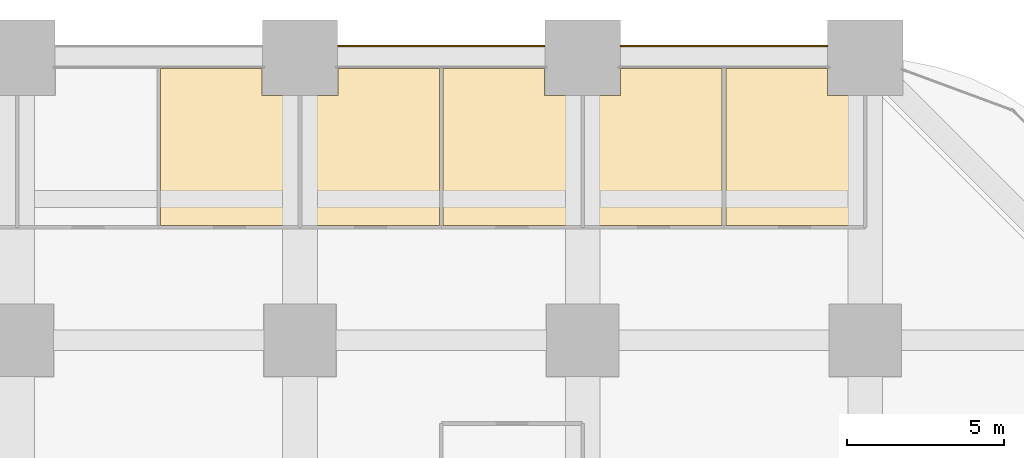
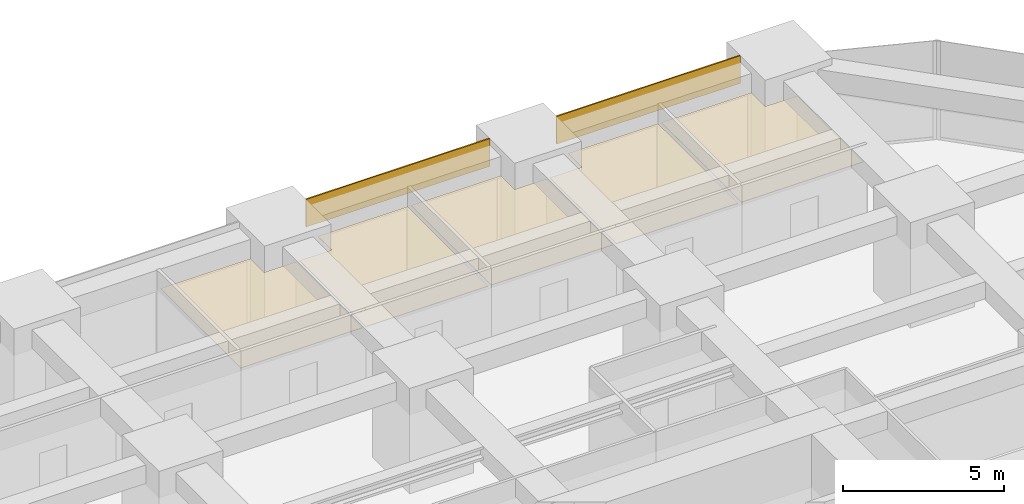
# One storey, part 44 of 44: 7 coverings.
"""IFC4 building model written with IfcOpenShell, lengths in metres."""

from ifc_helpers import new_model, si_unit, direction, frame, frame_2d, origin, place, context, subcontext, project, spatial, polyline, rectangle, outline, extrude, material, layer, layer_set, type_object, element, save


model = new_model("IFC4")

# Units and contexts
model_context = context("Model", 3, precision=1e-05, world=origin(), true_north=direction((0.0, 1.0)))
body_context = subcontext(model_context, "Body", "Model", "MODEL_VIEW")
ifc_project = project(units=[si_unit("LENGTHUNIT", "METRE"), si_unit("AREAUNIT", "SQUARE_METRE"), si_unit("VOLUMEUNIT", "CUBIC_METRE"), si_unit("PLANEANGLEUNIT", "RADIAN"), si_unit("MASSUNIT", "GRAM", prefix="KILO")], contexts=[model_context])

# Site, building, storey
site_placement = place(None, origin())
site = spatial("IfcSite", under=ifc_project, at=site_placement, CompositionType="ELEMENT")
building_placement = place(site_placement, origin())
building = spatial("IfcBuilding", under=site, at=building_placement, Name="Zorevar Civic Tower", CompositionType="ELEMENT")
storey_placement = place(building_placement, frame((0.0, 0.0, 35.800048828125)))
storey = spatial("IfcBuildingStorey", under=building, at=storey_placement, Name="L08", CompositionType="ELEMENT", Elevation=35.800048828125)

# Coverings
ifc_material_1 = material(Name="Black anodised aluminium spandrel panel", Category="aluminium")
ifc_layer_1 = layer(ifc_material_1, 0.050048828125)
ifc_layer_set_1 = layer_set([ifc_layer_1], Name="Spandrel cladding SP1")
covering_type_1 = type_object("IfcCoveringType", Name="Spandrel cladding SP1", PredefinedType="CLADDING", material=ifc_layer_set_1)
for number, where, z_axis, x_axis, name in (
    (1, (37.199951171875, 54.375, 2.949951171875), (0.0, 0.0, 1.0), (1.0, 0.0, 0.0), "Spandrel cladding L09"),
    (2, (46.199951171875, 54.375, 2.949951171875), (0.0, 0.0, 1.0), (1.0, 0.0, 0.0), "Spandrel cladding L09"),
):
    element("IfcCovering", number, at=place(storey_placement, frame(where, z_axis=z_axis, x_axis=x_axis)), inside=storey, type_object=covering_type_1, Name=name, PredefinedType="CLADDING", context=body_context, shape_type="SweptSolid", body=[
        extrude(rectangle(XDim=6.60009765625, YDim=0.050048828125, at=frame_2d((3.300048828125, 0.0))), origin(), (0.0, 0.0, 1.0), 1.050048828125),
    ])
ifc_material_2 = material(Name="Mineral fibre tiles on a concealed grid")
ifc_layer_2 = layer(ifc_material_2, 0.02001953125)
ifc_layer_set_2 = layer_set([ifc_layer_2], Name="Suspended ceiling SC1")
covering_type_2 = type_object("IfcCoveringType", Name="Suspended ceiling SC1", PredefinedType="CEILING", material=ifc_layer_set_2)
covering_1_placement = place(storey_placement, frame((0.0, 0.0, 3.0)))
element("IfcCovering", 3, at=covering_1_placement, inside=storey, type_object=covering_type_2, Name="Ceiling L08-36", PredefinedType="CEILING", context=body_context, shape_type="SweptSolid", body=[
    extrude(outline(polyline([(31.56005859375, 48.659912109375), (31.56005859375, 53.64990234375), (34.7900390625, 53.64990234375), (34.7900390625, 52.7900390625), (35.93994140625, 52.7900390625), (35.93994140625, 48.659912109375), (31.56005859375, 48.659912109375)])), origin(), (0.0, 0.0, 1.0), 0.02001953125),
])
covering_2_placement = place(storey_placement, frame((0.0, 0.0, 3.0)))
element("IfcCovering", 4, at=covering_2_placement, inside=storey, type_object=covering_type_2, Name="Ceiling L08-37", PredefinedType="CEILING", context=body_context, shape_type="SweptSolid", body=[
    extrude(outline(polyline([(36.06005859375, 48.659912109375), (36.06005859375, 52.7900390625), (37.2099609375, 52.7900390625), (37.2099609375, 53.64990234375), (40.43994140625, 53.64990234375), (40.43994140625, 48.659912109375), (36.06005859375, 48.659912109375)])), origin(), (0.0, 0.0, 1.0), 0.02001953125),
])
covering_3_placement = place(storey_placement, frame((0.0, 0.0, 3.0)))
element("IfcCovering", 5, at=covering_3_placement, inside=storey, type_object=covering_type_2, Name="Ceiling L08-38", PredefinedType="CEILING", context=body_context, shape_type="SweptSolid", body=[
    extrude(outline(polyline([(40.56005859375, 48.659912109375), (40.56005859375, 53.64990234375), (43.7900390625, 53.64990234375), (43.7900390625, 52.7900390625), (44.93994140625, 52.7900390625), (44.93994140625, 48.659912109375), (40.56005859375, 48.659912109375)])), origin(), (0.0, 0.0, 1.0), 0.02001953125),
])
covering_4_placement = place(storey_placement, frame((0.0, 0.0, 3.0)))
element("IfcCovering", 6, at=covering_4_placement, inside=storey, type_object=covering_type_2, Name="Ceiling L08-39", PredefinedType="CEILING", context=body_context, shape_type="SweptSolid", body=[
    extrude(outline(polyline([(45.06005859375, 48.659912109375), (45.06005859375, 52.7900390625), (46.2099609375, 52.7900390625), (46.2099609375, 53.64990234375), (49.43994140625, 53.64990234375), (49.43994140625, 48.659912109375), (45.06005859375, 48.659912109375)])), origin(), (0.0, 0.0, 1.0), 0.02001953125),
])
covering_5_placement = place(storey_placement, frame((0.0, 0.0, 3.0)))
element("IfcCovering", 7, at=covering_5_placement, inside=storey, type_object=covering_type_2, Name="Ceiling L08-40", PredefinedType="CEILING", context=body_context, shape_type="SweptSolid", body=[
    extrude(outline(polyline([(49.56005859375, 48.659912109375), (49.56005859375, 53.64990234375), (52.7900390625, 53.64990234375), (52.7900390625, 52.7900390625), (53.93994140625, 52.7900390625), (53.93994140625, 48.659912109375), (49.56005859375, 48.659912109375)])), origin(), (0.0, 0.0, 1.0), 0.02001953125),
])

save(model, "model.ifc")
